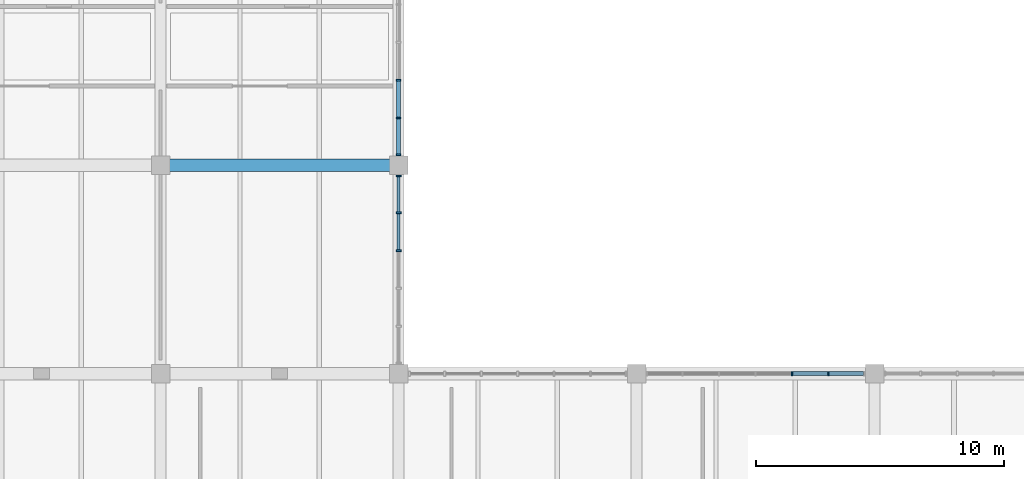
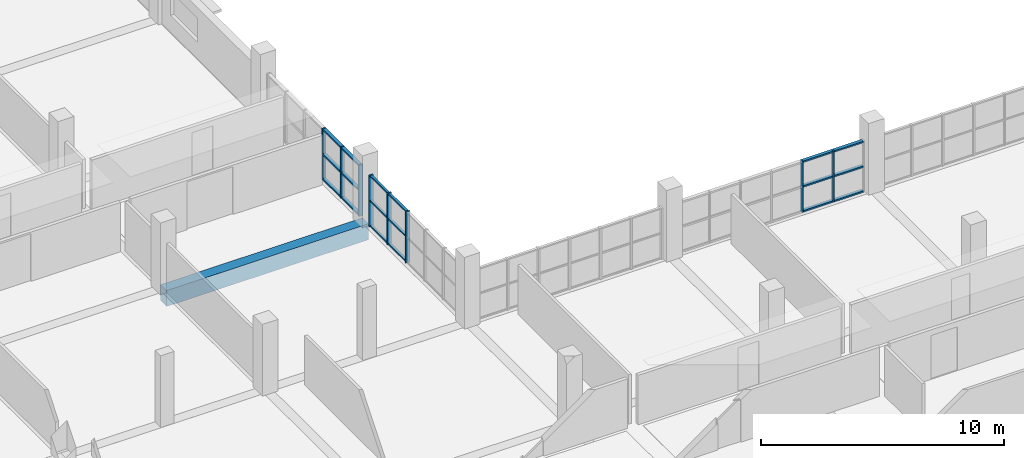
# One storey, part 74 of 147: 26 members, 1 beam, 3 elements without a shape of their own.
"""IFC4 building model written with IfcOpenShell, lengths in metres."""

from ifc_helpers import new_model, si_unit, direction, frame, origin, origin_2d, place, context, subcontext, project, spatial, rectangle, extrude, material, material_profile, profile_set, type_object, element, aggregate, save


model = new_model("IFC4")

# Units and contexts
model_context = context("Model", 3, precision=1e-05, world=origin(), true_north=direction((0.0, 1.0)))
body_context = subcontext(model_context, "Body", "Model", "MODEL_VIEW")
ifc_project = project(units=[si_unit("LENGTHUNIT", "METRE"), si_unit("AREAUNIT", "SQUARE_METRE"), si_unit("VOLUMEUNIT", "CUBIC_METRE"), si_unit("PLANEANGLEUNIT", "RADIAN"), si_unit("MASSUNIT", "GRAM", prefix="KILO")], contexts=[model_context])

# Site, building, storey
site_placement = place(None, origin())
site = spatial("IfcSite", under=ifc_project, at=site_placement, CompositionType="ELEMENT")
building_placement = place(site_placement, origin())
building = spatial("IfcBuilding", under=site, at=building_placement, Name="Oolite Switchyard Hospital", CompositionType="ELEMENT")
storey_placement = place(building_placement, frame((0.0, 0.0, 9.89990234375)))
storey = spatial("IfcBuildingStorey", under=building, at=storey_placement, Name="L02", CompositionType="ELEMENT", Elevation=9.89990234375)

# Beam
ifc_material_1 = material(Name="Concrete C40/50", Category="concrete")
ifc_material_profile_1 = material_profile(ifc_material_1, rectangle(XDim=0.5, YDim=0.800048828125, at=origin_2d()), Name="RCB500X800")
ifc_profile_set_1 = profile_set([ifc_material_profile_1], Name="Concrete C40/50")
beam_type = type_object("IfcBeamType", Name="BM-RC500X800", PredefinedType="BEAM", material=ifc_profile_set_1)
beam_placement = place(storey_placement, frame((163.199951171875, 84.0, -0.39990234375), z_axis=(1.0, 0.0, 0.0), x_axis=(0.0, 1.0, 0.0)))
element("IfcBeam", 1, at=beam_placement, inside=storey, type_object=beam_type, Name="L02 X-Girder 1141", PredefinedType="BEAM", context=body_context, shape_type="SweptSolid", body=[
    extrude(rectangle(XDim=0.5, YDim=0.800048828125, at=origin_2d()), origin(), (0.0, 0.0, 1.0), 9.60009765625),
])

# Curtain wall, members
ifc_material_2 = material(Name="Thermally broken aluminum frame with laminated impact glazing", Category="aluminium")
curtain_wall_type_1 = type_object("IfcCurtainWallType", Name="CW-UNIT-96X36", PredefinedType="USERDEFINED", material=ifc_material_2)
curtain_wall_1_placement = place(storey_placement, origin())
curtain_wall_1 = element("IfcCurtainWall", 2, at=curtain_wall_1_placement, inside=storey, type_object=curtain_wall_type_1, Name="L02 Unitised Curtain Wall 247", ObjectType="UNITISED", PredefinedType="USERDEFINED")
ifc_material_3 = material(Name="Aluminium 6063-T6", Category="aluminium")
ifc_material_profile_2 = material_profile(ifc_material_3, rectangle(XDim=0.159912109375, YDim=0.06005859375, at=origin_2d()), Name="CWM60X160")
ifc_profile_set_2 = profile_set([ifc_material_profile_2], Name="Aluminium 6063-T6")
member_type_1 = type_object("IfcMemberType", Name="CW-MUL-180", PredefinedType="MULLION", material=ifc_profile_set_2)
member_1_placement = place(storey_placement, frame((188.669921875, 75.60009765625, 0.0), z_axis=(0.0, 0.0, 1.0), x_axis=(0.0, 1.0, 0.0)))
member_1 = element("IfcMember", 3, at=member_1_placement, type_object=member_type_1, Name="CW-03 mullion 5", PredefinedType="MULLION", context=body_context, shape_type="SweptSolid", body=[
    extrude(rectangle(XDim=0.159912109375, YDim=0.06005859375, at=origin_2d()), origin(), (0.0, 0.0, 1.0), 2.570068359375),
])
member_2_placement = place(storey_placement, frame((190.139892578125, 75.60009765625, 0.0), z_axis=(0.0, 0.0, 1.0), x_axis=(0.0, 1.0, 0.0)))
member_2 = element("IfcMember", 4, at=member_2_placement, type_object=member_type_1, Name="CW-03 mullion 6", PredefinedType="MULLION", context=body_context, shape_type="SweptSolid", body=[
    extrude(rectangle(XDim=0.159912109375, YDim=0.06005859375, at=origin_2d()), origin(), (0.0, 0.0, 1.0), 2.570068359375),
])

curtain_wall_type_2 = type_object("IfcCurtainWallType", Name="CW-UNIT-84X36", PredefinedType="USERDEFINED", material=ifc_material_2)
curtain_wall_2_placement = place(storey_placement, origin())
curtain_wall_2 = element("IfcCurtainWall", 5, at=curtain_wall_2_placement, inside=storey, type_object=curtain_wall_type_2, Name="L02 Unitised Curtain Wall 305", ObjectType="UNITISED", PredefinedType="USERDEFINED")
ifc_material_profile_3 = material_profile(ifc_material_3, rectangle(XDim=0.179931640625, YDim=0.070068359375, at=origin_2d()), Name="CWM70X180")
ifc_profile_set_3 = profile_set([ifc_material_profile_3], Name="Aluminium 6063-T6")
member_type_2 = type_object("IfcMemberType", Name="CW-MUL-220", PredefinedType="MULLION", material=ifc_profile_set_3)
member_3_placement = place(storey_placement, frame((172.800048828125, 87.43798828125, 0.0), z_axis=(0.0, 0.0, 1.0), x_axis=(1.0, 0.0, 0.0)))
member_3 = element("IfcMember", 6, at=member_3_placement, type_object=member_type_2, Name="CW-08 mullion 4", PredefinedType="MULLION", context=body_context, shape_type="SweptSolid", body=[
    extrude(rectangle(XDim=0.179931640625, YDim=0.070068359375, at=origin_2d()), origin(), (0.0, 0.0, 1.0), 2.570068359375),
])
member_4_placement = place(storey_placement, frame((172.800048828125, 85.9140625, 0.0), z_axis=(0.0, 0.0, 1.0), x_axis=(1.0, 0.0, 0.0)))
member_4 = element("IfcMember", 7, at=member_4_placement, type_object=member_type_2, Name="CW-08 mullion 5", PredefinedType="MULLION", context=body_context, shape_type="SweptSolid", body=[
    extrude(rectangle(XDim=0.179931640625, YDim=0.070068359375, at=origin_2d()), origin(), (0.0, 0.0, 1.0), 2.570068359375),
])
member_5_placement = place(storey_placement, frame((172.800048828125, 84.425048828125, 0.0), z_axis=(0.0, 0.0, 1.0), x_axis=(1.0, 0.0, 0.0)))
member_5 = element("IfcMember", 8, at=member_5_placement, type_object=member_type_2, Name="CW-08 mullion 6", PredefinedType="MULLION", context=body_context, shape_type="SweptSolid", body=[
    extrude(rectangle(XDim=0.179931640625, YDim=0.070068359375, at=origin_2d()), origin(), (0.0, 0.0, 1.0), 2.570068359375),
])

curtain_wall_3_placement = place(storey_placement, origin())
curtain_wall_3 = element("IfcCurtainWall", 9, at=curtain_wall_3_placement, inside=storey, type_object=curtain_wall_type_2, Name="L02 Unitised Curtain Wall 306", ObjectType="UNITISED", PredefinedType="USERDEFINED")
ifc_material_profile_4 = material_profile(ifc_material_3, rectangle(XDim=0.199951171875, YDim=0.074951171875, at=origin_2d()), Name="CWM75X200")
ifc_profile_set_4 = profile_set([ifc_material_profile_4], Name="Aluminium 6063-T6")
member_type_3 = type_object("IfcMemberType", Name="CW-MUL-260", PredefinedType="MULLION", material=ifc_profile_set_4)
member_6_placement = place(storey_placement, frame((172.800048828125, 83.572509765625, 0.0), z_axis=(0.0, 0.0, 1.0), x_axis=(1.0, 0.0, 0.0)))
member_6 = element("IfcMember", 10, at=member_6_placement, type_object=member_type_3, Name="CW-08 mullion 1", PredefinedType="MULLION", context=body_context, shape_type="SweptSolid", body=[
    extrude(rectangle(XDim=0.199951171875, YDim=0.074951171875, at=origin_2d()), origin(), (0.0, 0.0, 1.0), 2.570068359375),
])
member_7_placement = place(storey_placement, frame((172.800048828125, 82.0859375, 0.0), z_axis=(0.0, 0.0, 1.0), x_axis=(1.0, 0.0, 0.0)))
member_7 = element("IfcMember", 11, at=member_7_placement, type_object=member_type_3, Name="CW-08 mullion 2", PredefinedType="MULLION", context=body_context, shape_type="SweptSolid", body=[
    extrude(rectangle(XDim=0.199951171875, YDim=0.074951171875, at=origin_2d()), origin(), (0.0, 0.0, 1.0), 2.570068359375),
])
member_8_placement = place(storey_placement, frame((172.800048828125, 80.56201171875, 0.0), z_axis=(0.0, 0.0, 1.0), x_axis=(1.0, 0.0, 0.0)))
member_8 = element("IfcMember", 12, at=member_8_placement, type_object=member_type_3, Name="CW-08 mullion 3", PredefinedType="MULLION", context=body_context, shape_type="SweptSolid", body=[
    extrude(rectangle(XDim=0.199951171875, YDim=0.074951171875, at=origin_2d()), origin(), (0.0, 0.0, 1.0), 2.570068359375),
])
ifc_material_profile_5 = material_profile(ifc_material_3, rectangle(XDim=0.1201171875, YDim=0.06005859375, at=origin_2d()), Name="CWT60X120")
ifc_profile_set_5 = profile_set([ifc_material_profile_5], Name="Aluminium 6063-T6")
member_type_4 = type_object("IfcMemberType", Name="CW-TRN-150", PredefinedType="USERDEFINED", material=ifc_profile_set_5)
member_9_placement = place(storey_placement, frame((172.800048828125, 83.534912109375, 0.030029296875), z_axis=(0.0, -1.0, 0.0), x_axis=(1.0, 0.0, 0.0)))
member_9 = element("IfcMember", 13, at=member_9_placement, type_object=member_type_4, Name="CW-08 transom 1.1", ObjectType="TRANSOM", PredefinedType="USERDEFINED", context=body_context, shape_type="SweptSolid", body=[
    extrude(rectangle(XDim=0.1201171875, YDim=0.06005859375, at=origin_2d()), origin(), (0.0, 0.0, 1.0), 1.411376953125),
])
member_10_placement = place(storey_placement, frame((172.800048828125, 83.534912109375, 1.28515625), z_axis=(0.0, -1.0, 0.0), x_axis=(1.0, 0.0, 0.0)))
member_10 = element("IfcMember", 14, at=member_10_placement, type_object=member_type_4, Name="CW-08 transom 1.2", ObjectType="TRANSOM", PredefinedType="USERDEFINED", context=body_context, shape_type="SweptSolid", body=[
    extrude(rectangle(XDim=0.1201171875, YDim=0.06005859375, at=origin_2d()), origin(), (0.0, 0.0, 1.0), 1.411376953125),
])
member_11_placement = place(storey_placement, frame((172.800048828125, 83.534912109375, 2.5400390625), z_axis=(0.0, -1.0, 0.0), x_axis=(1.0, 0.0, 0.0)))
member_11 = element("IfcMember", 15, at=member_11_placement, type_object=member_type_4, Name="CW-08 transom 1.3", ObjectType="TRANSOM", PredefinedType="USERDEFINED", context=body_context, shape_type="SweptSolid", body=[
    extrude(rectangle(XDim=0.1201171875, YDim=0.06005859375, at=origin_2d()), origin(), (0.0, 0.0, 1.0), 1.411376953125),
])
member_12_placement = place(storey_placement, frame((172.800048828125, 82.048583984375, 0.030029296875), z_axis=(0.0, -1.0, 0.0), x_axis=(1.0, 0.0, 0.0)))
member_12 = element("IfcMember", 16, at=member_12_placement, type_object=member_type_4, Name="CW-08 transom 2.1", ObjectType="TRANSOM", PredefinedType="USERDEFINED", context=body_context, shape_type="SweptSolid", body=[
    extrude(rectangle(XDim=0.1201171875, YDim=0.06005859375, at=origin_2d()), origin(), (0.0, 0.0, 1.0), 1.448974609375),
])
member_13_placement = place(storey_placement, frame((172.800048828125, 82.048583984375, 1.28515625), z_axis=(0.0, -1.0, 0.0), x_axis=(1.0, 0.0, 0.0)))
member_13 = element("IfcMember", 17, at=member_13_placement, type_object=member_type_4, Name="CW-08 transom 2.2", ObjectType="TRANSOM", PredefinedType="USERDEFINED", context=body_context, shape_type="SweptSolid", body=[
    extrude(rectangle(XDim=0.1201171875, YDim=0.06005859375, at=origin_2d()), origin(), (0.0, 0.0, 1.0), 1.448974609375),
])
member_14_placement = place(storey_placement, frame((172.800048828125, 82.048583984375, 2.5400390625), z_axis=(0.0, -1.0, 0.0), x_axis=(1.0, 0.0, 0.0)))
member_14 = element("IfcMember", 18, at=member_14_placement, type_object=member_type_4, Name="CW-08 transom 2.3", ObjectType="TRANSOM", PredefinedType="USERDEFINED", context=body_context, shape_type="SweptSolid", body=[
    extrude(rectangle(XDim=0.1201171875, YDim=0.06005859375, at=origin_2d()), origin(), (0.0, 0.0, 1.0), 1.448974609375),
])
aggregate(curtain_wall_3, [member_6, member_7, member_8, member_9, member_10, member_11, member_12, member_13, member_14])

# Member
ifc_material_profile_6 = material_profile(ifc_material_3, rectangle(XDim=0.159912109375, YDim=0.074951171875, at=origin_2d()), Name="CWT75X160")
ifc_profile_set_6 = profile_set([ifc_material_profile_6], Name="Aluminium 6063-T6")
member_type_5 = type_object("IfcMemberType", Name="CW-TRN-180", PredefinedType="USERDEFINED", material=ifc_profile_set_6)
member_15_placement = place(storey_placement, frame((188.699951171875, 75.60009765625, 0.03759765625), z_axis=(1.0, 0.0, 0.0), x_axis=(0.0, 1.0, 0.0)))
member_15 = element("IfcMember", 19, at=member_15_placement, type_object=member_type_5, Name="CW-03 transom 5.1", ObjectType="TRANSOM", PredefinedType="USERDEFINED", context=body_context, shape_type="SweptSolid", body=[
    extrude(rectangle(XDim=0.159912109375, YDim=0.074951171875, at=origin_2d()), origin(), (0.0, 0.0, 1.0), 1.41015625),
])

member_16_placement = place(storey_placement, frame((188.699951171875, 75.60009765625, 1.28515625), z_axis=(1.0, 0.0, 0.0), x_axis=(0.0, 1.0, 0.0)))
member_16 = element("IfcMember", 20, at=member_16_placement, type_object=member_type_5, Name="CW-03 transom 5.2", ObjectType="TRANSOM", PredefinedType="USERDEFINED", context=body_context, shape_type="SweptSolid", body=[
    extrude(rectangle(XDim=0.159912109375, YDim=0.074951171875, at=origin_2d()), origin(), (0.0, 0.0, 1.0), 1.41015625),
])

member_17_placement = place(storey_placement, frame((188.699951171875, 75.60009765625, 2.53271484375), z_axis=(1.0, 0.0, 0.0), x_axis=(0.0, 1.0, 0.0)))
member_17 = element("IfcMember", 21, at=member_17_placement, type_object=member_type_5, Name="CW-03 transom 5.3", ObjectType="TRANSOM", PredefinedType="USERDEFINED", context=body_context, shape_type="SweptSolid", body=[
    extrude(rectangle(XDim=0.159912109375, YDim=0.074951171875, at=origin_2d()), origin(), (0.0, 0.0, 1.0), 1.41015625),
])

member_18_placement = place(storey_placement, frame((190.169921875, 75.60009765625, 0.03759765625), z_axis=(1.0, 0.0, 0.0), x_axis=(0.0, 1.0, 0.0)))
member_18 = element("IfcMember", 22, at=member_18_placement, type_object=member_type_5, Name="CW-03 transom 6.1", ObjectType="TRANSOM", PredefinedType="USERDEFINED", context=body_context, shape_type="SweptSolid", body=[
    extrude(rectangle(XDim=0.159912109375, YDim=0.074951171875, at=origin_2d()), origin(), (0.0, 0.0, 1.0), 1.380126953125),
])

member_19_placement = place(storey_placement, frame((190.169921875, 75.60009765625, 1.28515625), z_axis=(1.0, 0.0, 0.0), x_axis=(0.0, 1.0, 0.0)))
member_19 = element("IfcMember", 23, at=member_19_placement, type_object=member_type_5, Name="CW-03 transom 6.2", ObjectType="TRANSOM", PredefinedType="USERDEFINED", context=body_context, shape_type="SweptSolid", body=[
    extrude(rectangle(XDim=0.159912109375, YDim=0.074951171875, at=origin_2d()), origin(), (0.0, 0.0, 1.0), 1.380126953125),
])

member_20_placement = place(storey_placement, frame((190.169921875, 75.60009765625, 2.53271484375), z_axis=(1.0, 0.0, 0.0), x_axis=(0.0, 1.0, 0.0)))
member_20 = element("IfcMember", 24, at=member_20_placement, type_object=member_type_5, Name="CW-03 transom 6.3", ObjectType="TRANSOM", PredefinedType="USERDEFINED", context=body_context, shape_type="SweptSolid", body=[
    extrude(rectangle(XDim=0.159912109375, YDim=0.074951171875, at=origin_2d()), origin(), (0.0, 0.0, 1.0), 1.380126953125),
])

aggregate(curtain_wall_1, [member_1, member_2, member_15, member_16, member_17, member_18, member_19, member_20])

member_21_placement = place(storey_placement, frame((172.800048828125, 87.403076171875, 0.03759765625), z_axis=(0.0, -1.0, 0.0), x_axis=(1.0, 0.0, 0.0)))
member_21 = element("IfcMember", 25, at=member_21_placement, type_object=member_type_5, Name="CW-08 transom 4.1", ObjectType="TRANSOM", PredefinedType="USERDEFINED", context=body_context, shape_type="SweptSolid", body=[
    extrude(rectangle(XDim=0.159912109375, YDim=0.074951171875, at=origin_2d()), origin(), (0.0, 0.0, 1.0), 1.4541015625),
])

member_22_placement = place(storey_placement, frame((172.800048828125, 87.403076171875, 1.28515625), z_axis=(0.0, -1.0, 0.0), x_axis=(1.0, 0.0, 0.0)))
member_22 = element("IfcMember", 26, at=member_22_placement, type_object=member_type_5, Name="CW-08 transom 4.2", ObjectType="TRANSOM", PredefinedType="USERDEFINED", context=body_context, shape_type="SweptSolid", body=[
    extrude(rectangle(XDim=0.159912109375, YDim=0.074951171875, at=origin_2d()), origin(), (0.0, 0.0, 1.0), 1.4541015625),
])

member_23_placement = place(storey_placement, frame((172.800048828125, 87.403076171875, 2.53271484375), z_axis=(0.0, -1.0, 0.0), x_axis=(1.0, 0.0, 0.0)))
member_23 = element("IfcMember", 27, at=member_23_placement, type_object=member_type_5, Name="CW-08 transom 4.3", ObjectType="TRANSOM", PredefinedType="USERDEFINED", context=body_context, shape_type="SweptSolid", body=[
    extrude(rectangle(XDim=0.159912109375, YDim=0.074951171875, at=origin_2d()), origin(), (0.0, 0.0, 1.0), 1.4541015625),
])

member_24_placement = place(storey_placement, frame((172.800048828125, 85.87890625, 0.03759765625), z_axis=(0.0, -1.0, 0.0), x_axis=(1.0, 0.0, 0.0)))
member_24 = element("IfcMember", 28, at=member_24_placement, type_object=member_type_5, Name="CW-08 transom 5.1", ObjectType="TRANSOM", PredefinedType="USERDEFINED", context=body_context, shape_type="SweptSolid", body=[
    extrude(rectangle(XDim=0.159912109375, YDim=0.074951171875, at=origin_2d()), origin(), (0.0, 0.0, 1.0), 1.4189453125),
])

member_25_placement = place(storey_placement, frame((172.800048828125, 85.87890625, 1.28515625), z_axis=(0.0, -1.0, 0.0), x_axis=(1.0, 0.0, 0.0)))
member_25 = element("IfcMember", 29, at=member_25_placement, type_object=member_type_5, Name="CW-08 transom 5.2", ObjectType="TRANSOM", PredefinedType="USERDEFINED", context=body_context, shape_type="SweptSolid", body=[
    extrude(rectangle(XDim=0.159912109375, YDim=0.074951171875, at=origin_2d()), origin(), (0.0, 0.0, 1.0), 1.4189453125),
])

member_26_placement = place(storey_placement, frame((172.800048828125, 85.87890625, 2.53271484375), z_axis=(0.0, -1.0, 0.0), x_axis=(1.0, 0.0, 0.0)))
member_26 = element("IfcMember", 30, at=member_26_placement, type_object=member_type_5, Name="CW-08 transom 5.3", ObjectType="TRANSOM", PredefinedType="USERDEFINED", context=body_context, shape_type="SweptSolid", body=[
    extrude(rectangle(XDim=0.159912109375, YDim=0.074951171875, at=origin_2d()), origin(), (0.0, 0.0, 1.0), 1.4189453125),
])

aggregate(curtain_wall_2, [member_3, member_4, member_5, member_21, member_22, member_23, member_24, member_25, member_26])

save(model, "model.ifc")
